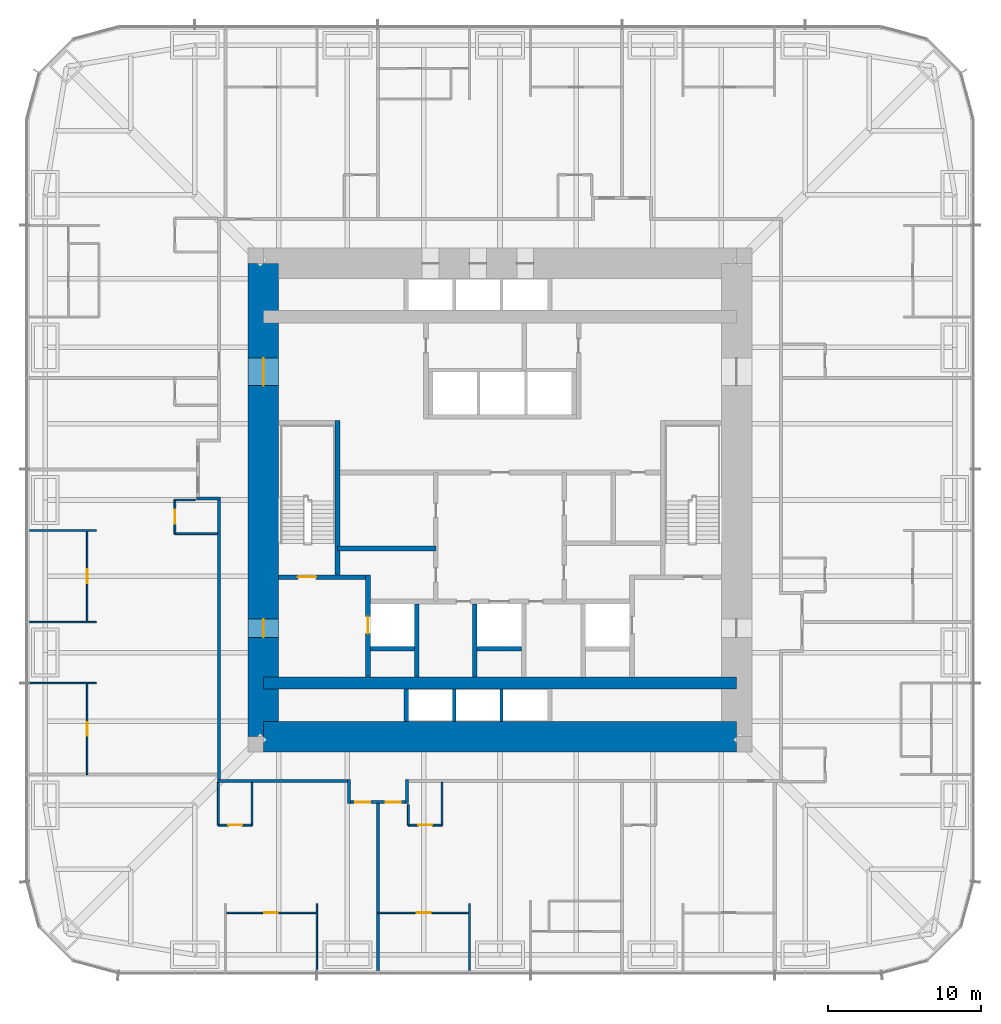
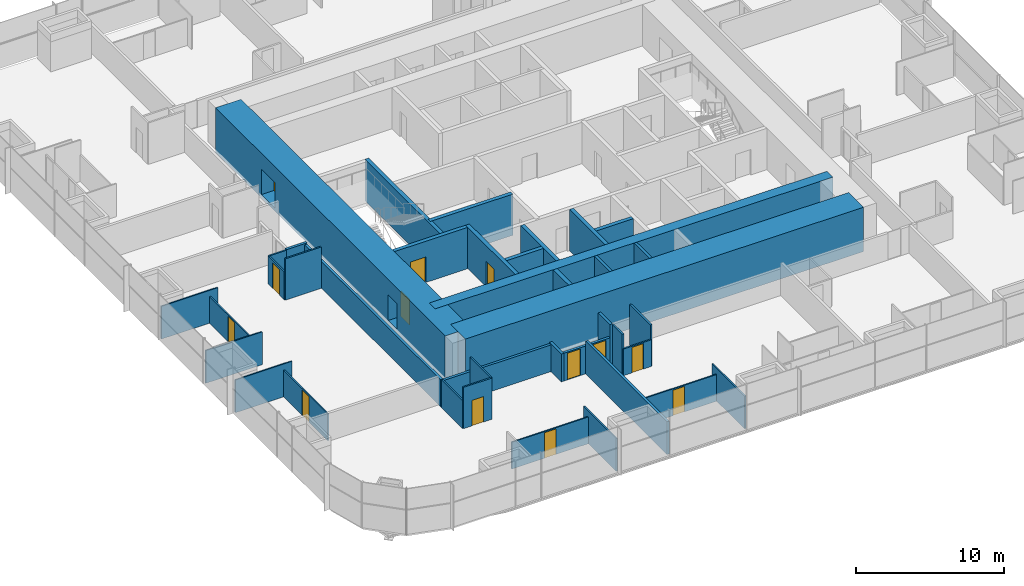
# One storey, part 12 of 17: 39 walls, 13 doors, 13 openings.
"""IFC4 building model written with IfcOpenShell, lengths in metres."""

from ifc_helpers import new_model, si_unit, direction, frame, frame_2d, origin, place, context, subcontext, project, spatial, rectangle, extrude, material, layer, layer_set, type_object, element, fill, save


model = new_model("IFC4")

# Units and contexts
model_context = context("Model", 3, precision=1e-05, world=origin(), true_north=direction((0.0, 1.0)))
body_context = subcontext(model_context, "Body", "Model", "MODEL_VIEW")
ifc_project = project(units=[si_unit("LENGTHUNIT", "METRE"), si_unit("AREAUNIT", "SQUARE_METRE"), si_unit("VOLUMEUNIT", "CUBIC_METRE"), si_unit("PLANEANGLEUNIT", "RADIAN"), si_unit("MASSUNIT", "GRAM", prefix="KILO")], contexts=[model_context])

# Site, building, storey
site_placement = place(None, origin())
site = spatial("IfcSite", under=ifc_project, at=site_placement, CompositionType="ELEMENT")
building_placement = place(site_placement, origin())
building = spatial("IfcBuilding", under=site, at=building_placement, Name="Khuree Lantern Residences", CompositionType="ELEMENT")
storey_placement = place(building_placement, frame((0.0, 0.0, 96.0)))
storey = spatial("IfcBuildingStorey", under=building, at=storey_placement, Name="L24", CompositionType="ELEMENT", Elevation=96.0)

# Wall, opening, door
ifc_material_1 = material(Name="Moisture-resistant gypsum board on steel studs", Category="steel")
ifc_layer_1 = layer(ifc_material_1, 0.125)
ifc_layer_set_1 = layer_set([ifc_layer_1], Name="BATHROOM WALL BTW125")
wall_type_1 = type_object("IfcWallType", Name="BATHROOM WALL BTW125", PredefinedType="PARTITIONING", material=ifc_layer_set_1)
wall_1_placement = place(storey_placement, frame((-21.300048828125, 0.0, 0.0), z_axis=(0.0, 0.0, 1.0), x_axis=(0.0, -1.0, 0.0)))
wall_1 = element("IfcWall", 1, at=wall_1_placement, inside=storey, type_object=wall_type_1, Name="L24 BATHROOM WALL 07", PredefinedType="PARTITIONING", context=body_context, shape_type="SweptSolid", body=[
    extrude(rectangle(XDim=2.199951171875, YDim=0.125, at=frame_2d((1.10009765625, 0.0))), origin(), (0.0, 0.0, 1.0), 2.300048828125),
])
opening_1_placement = place(wall_1_placement, frame((0.64990234375, 0.0, 0.0)))
opening_1 = element("IfcOpeningElement", 2, at=opening_1_placement, cuts=wall_1, Name="Opening 24-046", PredefinedType="OPENING", context=body_context, shape_type="SweptSolid", body=[
    extrude(rectangle(XDim=0.89990234375, YDim=2.10009765625, at=frame_2d((0.449951171875, 1.050048828125))), frame((0.0, 0.072509765625, 0.0), z_axis=(0.0, -1.0, 0.0), x_axis=(1.0, 0.0, 0.0)), (0.0, 0.0, 1.0), 0.14501953125),
])
ifc_material_2 = material(Name="Timber door leaf in hardwood frame", Category="wood")
door_type_1 = type_object("IfcDoorType", Name="BATHROOM DOOR 900X2100", OperationType="SINGLE_SWING_LEFT", PredefinedType="DOOR", material=ifc_material_2)
door_1_placement = place(opening_1_placement, origin())
door_1 = element("IfcDoor", 3, at=door_1_placement, inside=storey, type_object=door_type_1, Name="Bathroom door 24-046", OperationType="SINGLE_SWING_LEFT", OverallHeight=2.10009765625, OverallWidth=0.89990234375, PredefinedType="DOOR", context=body_context, shape_type="SweptSolid", body=[
    extrude(rectangle(XDim=0.89990234375, YDim=2.10009765625, at=frame_2d((0.449951171875, 1.050048828125))), frame((0.0, 0.02490234375, 0.0), z_axis=(0.0, -1.0, 0.0), x_axis=(1.0, 0.0, 0.0)), (0.0, 0.0, 1.0), 0.050048828125),
])
fill(opening_1, door_1)

# Walls
wall_2_placement = place(storey_placement, frame((-19.969970703125, 0.0, 0.0), z_axis=(0.0, 0.0, 1.0), x_axis=(-1.0, 0.0, 0.0)))
element("IfcWall", 4, at=wall_2_placement, inside=storey, type_object=wall_type_1, Name="L24 BATHROOM WALL 07", PredefinedType="PARTITIONING", context=body_context, shape_type="SweptSolid", body=[
    extrude(rectangle(XDim=1.330078125, YDim=0.125, at=frame_2d((0.6650390625, 0.0))), origin(), (0.0, 0.0, 1.0), 2.300048828125),
])
wall_3_placement = place(storey_placement, frame((-18.5, -2.199951171875, 0.0), z_axis=(0.0, 0.0, 1.0), x_axis=(-1.0, 0.0, 0.0)))
element("IfcWall", 5, at=wall_3_placement, inside=storey, type_object=wall_type_1, Name="L24 BATHROOM WALL 07", PredefinedType="PARTITIONING", context=body_context, shape_type="SweptSolid", body=[
    extrude(rectangle(XDim=2.800048828125, YDim=0.125, at=frame_2d((1.39990234375, 0.0))), origin(), (0.0, 0.0, 1.0), 3.39990234375),
])

# Wall, opening, door
wall_4_placement = place(storey_placement, frame((-18.449951171875, -21.300048828125, 0.0), z_axis=(0.0, 0.0, 1.0), x_axis=(1.0, 0.0, 0.0)))
wall_4 = element("IfcWall", 6, at=wall_4_placement, inside=storey, type_object=wall_type_1, Name="L24 BATHROOM WALL 08", PredefinedType="PARTITIONING", context=body_context, shape_type="SweptSolid", body=[
    extrude(rectangle(XDim=2.199951171875, YDim=0.125, at=frame_2d((1.10009765625, 0.0))), origin(), (0.0, 0.0, 1.0), 3.39990234375),
])
opening_2_placement = place(wall_4_placement, frame((0.64990234375, 0.0, 0.0)))
opening_2 = element("IfcOpeningElement", 7, at=opening_2_placement, cuts=wall_4, Name="Opening 24-049", PredefinedType="OPENING", context=body_context, shape_type="SweptSolid", body=[
    extrude(rectangle(XDim=0.89990234375, YDim=2.10009765625, at=frame_2d((0.449951171875, 1.050048828125))), frame((0.0, 0.072509765625, 0.0), z_axis=(0.0, -1.0, 0.0), x_axis=(1.0, 0.0, 0.0)), (0.0, 0.0, 1.0), 0.14501953125),
])
door_2_placement = place(opening_2_placement, origin())
door_2 = element("IfcDoor", 8, at=door_2_placement, inside=storey, type_object=door_type_1, Name="Bathroom door 24-049", OperationType="SINGLE_SWING_LEFT", OverallHeight=2.10009765625, OverallWidth=0.89990234375, PredefinedType="DOOR", context=body_context, shape_type="SweptSolid", body=[
    extrude(rectangle(XDim=0.89990234375, YDim=2.10009765625, at=frame_2d((0.449951171875, 1.050048828125))), frame((0.0, 0.02490234375, 0.0), z_axis=(0.0, -1.0, 0.0), x_axis=(1.0, 0.0, 0.0)), (0.0, 0.0, 1.0), 0.050048828125),
])
fill(opening_2, door_2)

# Walls
wall_5_placement = place(storey_placement, frame((-18.449951171875, -18.5, 0.0), z_axis=(0.0, 0.0, 1.0), x_axis=(0.0, -1.0, 0.0)))
element("IfcWall", 9, at=wall_5_placement, inside=storey, type_object=wall_type_1, Name="L24 BATHROOM WALL 08", PredefinedType="PARTITIONING", context=body_context, shape_type="SweptSolid", body=[
    extrude(rectangle(XDim=2.800048828125, YDim=0.125, at=frame_2d((1.39990234375, 0.0))), origin(), (0.0, 0.0, 1.0), 2.300048828125),
])
wall_6_placement = place(storey_placement, frame((-16.25, -18.5, 0.0), z_axis=(0.0, 0.0, 1.0), x_axis=(0.0, -1.0, 0.0)))
element("IfcWall", 10, at=wall_6_placement, inside=storey, type_object=wall_type_1, Name="L24 BATHROOM WALL 08", PredefinedType="PARTITIONING", context=body_context, shape_type="SweptSolid", body=[
    extrude(rectangle(XDim=2.800048828125, YDim=0.125, at=frame_2d((1.39990234375, 0.0))), origin(), (0.0, 0.0, 1.0), 3.39990234375),
])

# Wall, opening, door
wall_7_placement = place(storey_placement, frame((-6.0, -21.300048828125, 0.0), z_axis=(0.0, 0.0, 1.0), x_axis=(1.0, 0.0, 0.0)))
wall_7 = element("IfcWall", 11, at=wall_7_placement, inside=storey, type_object=wall_type_1, Name="L24 BATHROOM WALL 09", PredefinedType="PARTITIONING", context=body_context, shape_type="SweptSolid", body=[
    extrude(rectangle(XDim=2.199951171875, YDim=0.125, at=frame_2d((1.10009765625, 0.0))), origin(), (0.0, 0.0, 1.0), 2.199951171875),
])
opening_3_placement = place(wall_7_placement, frame((0.64990234375, 0.0, 0.0)))
opening_3 = element("IfcOpeningElement", 12, at=opening_3_placement, cuts=wall_7, Name="Opening 24-054", PredefinedType="OPENING", context=body_context, shape_type="SweptSolid", body=[
    extrude(rectangle(XDim=0.89990234375, YDim=2.10009765625, at=frame_2d((0.449951171875, 1.050048828125))), frame((0.0, 0.072509765625, 0.0), z_axis=(0.0, -1.0, 0.0), x_axis=(1.0, 0.0, 0.0)), (0.0, 0.0, 1.0), 0.14501953125),
])
door_3_placement = place(opening_3_placement, origin())
door_3 = element("IfcDoor", 13, at=door_3_placement, inside=storey, type_object=door_type_1, Name="Bathroom door 24-054", OperationType="SINGLE_SWING_LEFT", OverallHeight=2.10009765625, OverallWidth=0.89990234375, PredefinedType="DOOR", context=body_context, shape_type="SweptSolid", body=[
    extrude(rectangle(XDim=0.89990234375, YDim=2.10009765625, at=frame_2d((0.449951171875, 1.050048828125))), frame((0.0, 0.02490234375, 0.0), z_axis=(0.0, -1.0, 0.0), x_axis=(1.0, 0.0, 0.0)), (0.0, 0.0, 1.0), 0.050048828125),
])
fill(opening_3, door_3)

# Walls
wall_8_placement = place(storey_placement, frame((-6.0, -19.969970703125, 0.0), z_axis=(0.0, 0.0, 1.0), x_axis=(0.0, -1.0, 0.0)))
element("IfcWall", 14, at=wall_8_placement, inside=storey, type_object=wall_type_1, Name="L24 BATHROOM WALL 09", PredefinedType="PARTITIONING", context=body_context, shape_type="SweptSolid", body=[
    extrude(rectangle(XDim=1.330078125, YDim=0.125, at=frame_2d((0.6650390625, 0.0))), origin(), (0.0, 0.0, 1.0), 3.39990234375),
])
wall_9_placement = place(storey_placement, frame((-3.800048828125, -18.5, 0.0), z_axis=(0.0, 0.0, 1.0), x_axis=(0.0, -1.0, 0.0)))
element("IfcWall", 15, at=wall_9_placement, inside=storey, type_object=wall_type_1, Name="L24 BATHROOM WALL 09", PredefinedType="PARTITIONING", context=body_context, shape_type="SweptSolid", body=[
    extrude(rectangle(XDim=2.800048828125, YDim=0.125, at=frame_2d((1.39990234375, 0.0))), origin(), (0.0, 0.0, 1.0), 3.39990234375),
])

# Wall, opening, door
ifc_material_3 = material(Name="Dense concrete blockwork", Category="masonry")
ifc_layer_2 = layer(ifc_material_3, 0.300048828125)
ifc_layer_set_2 = layer_set([ifc_layer_2], Name="CORE PARTITION WALL CPW300 EI 120")
wall_type_2 = type_object("IfcWallType", Name="CORE PARTITION WALL CPW300 EI 120", PredefinedType="PARTITIONING", material=ifc_layer_set_2)
wall_10_placement = place(storey_placement, frame((-8.64990234375, -11.60009765625, 0.0), z_axis=(0.0, 0.0, 1.0), x_axis=(0.0, 1.0, 0.0)))
wall_10 = element("IfcWall", 16, at=wall_10_placement, inside=storey, type_object=wall_type_2, Name="L24 CORE WALL FL1W", PredefinedType="PARTITIONING", context=body_context, shape_type="SweptSolid", body=[
    extrude(rectangle(XDim=6.7001953125, YDim=0.300048828125, at=frame_2d((3.35009765625, 0.0))), origin(), (0.0, 0.0, 1.0), 3.39990234375),
])
opening_4_placement = place(wall_10_placement, frame((2.85009765625, 0.0, 0.0)))
opening_4 = element("IfcOpeningElement", 17, at=opening_4_placement, cuts=wall_10, Name="Opening 24-007", PredefinedType="OPENING", context=body_context, shape_type="SweptSolid", body=[
    extrude(rectangle(XDim=1.10009765625, YDim=2.10009765625, at=frame_2d((0.550048828125, 1.050048828125))), frame((0.0, 0.16015625, 0.0), z_axis=(0.0, -1.0, 0.0), x_axis=(1.0, 0.0, 0.0)), (0.0, 0.0, 1.0), 0.320068359375),
])
ifc_material_4 = material(Name="Stainless steel lift landing door", Category="steel")
door_type_2 = type_object("IfcDoorType", Name="LIFT LANDING DOOR 1100X2100 E 120", OperationType="DOUBLE_DOOR_SLIDING", PredefinedType="DOOR", material=ifc_material_4)
door_4_placement = place(opening_4_placement, origin())
door_4 = element("IfcDoor", 18, at=door_4_placement, inside=storey, type_object=door_type_2, Name="Landing door FL1 24-007", OperationType="DOUBLE_DOOR_SLIDING", OverallHeight=2.10009765625, OverallWidth=1.10009765625, PredefinedType="DOOR", context=body_context, shape_type="SweptSolid", body=[
    extrude(rectangle(XDim=1.10009765625, YDim=2.10009765625, at=frame_2d((0.550048828125, 1.050048828125))), frame((0.0, 0.02490234375, 0.0), z_axis=(0.0, -1.0, 0.0), x_axis=(1.0, 0.0, 0.0)), (0.0, 0.0, 1.0), 0.050048828125),
])
fill(opening_4, door_4)

# Walls
for number, where, z_axis, x_axis, name in (
    (19, (-5.449951171875, -11.60009765625, 0.0), (0.0, 0.0, 1.0), (0.0, 1.0, 0.0), "L24 CORE WALL FL1E"),
    (20, (-1.64990234375, -11.60009765625, 0.0), (0.0, 0.0, 1.0), (0.0, 1.0, 0.0), "L24 CORE WALL SL1W"),
):
    element("IfcWall", number, at=place(storey_placement, frame(where, z_axis=z_axis, x_axis=x_axis)), inside=storey, type_object=wall_type_2, Name=name, PredefinedType="PARTITIONING", context=body_context, shape_type="SweptSolid", body=[
        extrude(rectangle(XDim=4.800048828125, YDim=0.300048828125, at=frame_2d((2.39990234375, 0.0))), origin(), (0.0, 0.0, 1.0), 3.39990234375),
    ])
for number, where, z_axis, x_axis, name in (
    (21, (-8.5, -9.75, 0.0), (0.0, 0.0, 1.0), (1.0, 0.0, 0.0), "L24 CORE WALL FL1S"),
    (22, (-1.5, -9.75, 0.0), (0.0, 0.0, 1.0), (1.0, 0.0, 0.0), "L24 CORE WALL SL1S"),
):
    element("IfcWall", number, at=place(storey_placement, frame(where, z_axis=z_axis, x_axis=x_axis)), inside=storey, type_object=wall_type_2, Name=name, PredefinedType="PARTITIONING", context=body_context, shape_type="SweptSolid", body=[
        extrude(rectangle(XDim=2.89990234375, YDim=0.300048828125, at=frame_2d((1.449951171875, 0.0))), origin(), (0.0, 0.0, 1.0), 3.39990234375),
    ])
wall_11_placement = place(storey_placement, frame((-6.14990234375, -14.5, 0.0), z_axis=(0.0, 0.0, 1.0), x_axis=(0.0, 1.0, 0.0)))
element("IfcWall", 23, at=wall_11_placement, inside=storey, type_object=wall_type_2, Name="L24 CORE WALL PMW", PredefinedType="PARTITIONING", context=body_context, shape_type="SweptSolid", body=[
    extrude(rectangle(XDim=2.10009765625, YDim=0.300048828125, at=frame_2d((1.050048828125, 0.0))), origin(), (0.0, 0.0, 1.0), 3.39990234375),
])
wall_12_placement = place(storey_placement, frame((-10.64990234375, -3.179931640625, 0.0), z_axis=(0.0, 0.0, 1.0), x_axis=(1.0, 0.0, 0.0)))
element("IfcWall", 24, at=wall_12_placement, inside=storey, type_object=wall_type_2, Name="L24 CORE WALL WX", PredefinedType="PARTITIONING", context=body_context, shape_type="SweptSolid", body=[
    extrude(rectangle(XDim=6.449951171875, YDim=0.300048828125, at=frame_2d((3.22509765625, 0.0))), origin(), (0.0, 0.0, 1.0), 3.39990234375),
])
ifc_material_5 = material(Name="Gypsum board on steel studs", Category="steel")
ifc_layer_3 = layer(ifc_material_5, 0.199951171875)
ifc_layer_set_3 = layer_set([ifc_layer_3], Name="CORRIDOR WALL CRW200 EI 60")
wall_type_3 = type_object("IfcWallType", Name="CORRIDOR WALL CRW200 EI 60", PredefinedType="PARTITIONING", material=ifc_layer_set_3)
wall_13_placement = place(storey_placement, frame((-18.300048828125, 0.10009765625, 0.0), z_axis=(0.0, 0.0, 1.0), x_axis=(-1.0, 0.0, 0.0)))
element("IfcWall", 25, at=wall_13_placement, inside=storey, type_object=wall_type_3, Name="L24 CORRIDOR ALCOVE WALL WEST", PredefinedType="PARTITIONING", context=body_context, shape_type="SweptSolid", body=[
    extrude(rectangle(XDim=1.599853515625, YDim=0.199951171875, at=frame_2d((0.7998046875, 0.0))), origin(), (0.0, 0.0, 1.0), 2.300048828125),
])
wall_14_placement = place(storey_placement, frame((-18.39990234375, 0.0, 0.0), z_axis=(0.0, 0.0, 1.0), x_axis=(0.0, -1.0, 0.0)))
element("IfcWall", 26, at=wall_14_placement, inside=storey, type_object=wall_type_3, Name="L24 CORRIDOR WALL WEST 2", PredefinedType="PARTITIONING", context=body_context, shape_type="SweptSolid", body=[
    extrude(rectangle(XDim=18.300048828125, YDim=0.199951171875, at=frame_2d((9.14990234375, 0.0))), origin(), (0.0, 0.0, 1.0), 2.199951171875),
])
wall_15_placement = place(storey_placement, frame((-6.10009765625, -18.300048828125, 0.0), z_axis=(0.0, 0.0, 1.0), x_axis=(0.0, -1.0, 0.0)))
element("IfcWall", 27, at=wall_15_placement, inside=storey, type_object=wall_type_3, Name="L24 CORRIDOR ALCOVE WALL SOUTH", PredefinedType="PARTITIONING", context=body_context, shape_type="SweptSolid", body=[
    extrude(rectangle(XDim=1.599853515625, YDim=0.199951171875, at=frame_2d((0.7998046875, 0.0))), origin(), (0.0, 0.0, 1.0), 3.39990234375),
])
wall_16_placement = place(storey_placement, frame((-9.89990234375, -18.300048828125, 0.0), z_axis=(0.0, 0.0, 1.0), x_axis=(0.0, -1.0, 0.0)))
element("IfcWall", 28, at=wall_16_placement, inside=storey, type_object=wall_type_3, Name="L24 CORRIDOR ALCOVE WALL SOUTH", PredefinedType="PARTITIONING", context=body_context, shape_type="SweptSolid", body=[
    extrude(rectangle(XDim=1.599853515625, YDim=0.199951171875, at=frame_2d((0.7998046875, 0.0))), origin(), (0.0, 0.0, 1.0), 2.300048828125),
])

# Wall, openings, doors
wall_17_placement = place(storey_placement, frame((-6.199951171875, -19.800048828125, 0.0), z_axis=(0.0, 0.0, 1.0), x_axis=(-1.0, 0.0, 0.0)))
wall_17 = element("IfcWall", 29, at=wall_17_placement, inside=storey, type_object=wall_type_3, Name="L24 CORRIDOR ALCOVE WALL SOUTH", PredefinedType="PARTITIONING", context=body_context, shape_type="SweptSolid", body=[
    extrude(rectangle(XDim=3.60009765625, YDim=0.199951171875, at=frame_2d((1.800048828125, 0.0))), origin(), (0.0, 0.0, 1.0), 2.300048828125),
])
opening_5_placement = place(wall_17_placement, frame((2.300048828125, 0.0, 0.0)))
opening_5 = element("IfcOpeningElement", 30, at=opening_5_placement, cuts=wall_17, Name="Opening 24-050", PredefinedType="OPENING", context=body_context, shape_type="SweptSolid", body=[
    extrude(rectangle(XDim=1.0, YDim=2.199951171875, at=frame_2d((0.5, 1.10009765625))), frame((0.0, 0.10986328125, 0.0), z_axis=(0.0, -1.0, 0.0), x_axis=(1.0, 0.0, 0.0)), (0.0, 0.0, 1.0), 0.219970703125),
])
opening_6_placement = place(wall_17_placement, frame((0.300048828125, 0.0, 0.0)))
opening_6 = element("IfcOpeningElement", 31, at=opening_6_placement, cuts=wall_17, Name="Opening 24-055", PredefinedType="OPENING", context=body_context, shape_type="SweptSolid", body=[
    extrude(rectangle(XDim=1.0, YDim=2.199951171875, at=frame_2d((0.5, 1.10009765625))), frame((0.0, 0.10986328125, 0.0), z_axis=(0.0, -1.0, 0.0), x_axis=(1.0, 0.0, 0.0)), (0.0, 0.0, 1.0), 0.219970703125),
])
door_type_3 = type_object("IfcDoorType", Name="APARTMENT ENTRANCE DOOR 1000X2200 EI 30S", OperationType="SINGLE_SWING_LEFT", PredefinedType="DOOR", material=ifc_material_2)
door_5_placement = place(opening_5_placement, origin())
door_5 = element("IfcDoor", 32, at=door_5_placement, inside=storey, type_object=door_type_3, Name="Apartment 08 entrance door 24-050", OperationType="SINGLE_SWING_LEFT", OverallHeight=2.199951171875, OverallWidth=1.0, PredefinedType="DOOR", context=body_context, shape_type="SweptSolid", body=[
    extrude(rectangle(XDim=1.0, YDim=2.199951171875, at=frame_2d((0.5, 1.10009765625))), frame((0.0, 0.02490234375, 0.0), z_axis=(0.0, -1.0, 0.0), x_axis=(1.0, 0.0, 0.0)), (0.0, 0.0, 1.0), 0.050048828125),
])
fill(opening_5, door_5)
door_6_placement = place(opening_6_placement, origin())
door_6 = element("IfcDoor", 33, at=door_6_placement, inside=storey, type_object=door_type_3, Name="Apartment 09 entrance door 24-055", OperationType="SINGLE_SWING_LEFT", OverallHeight=2.199951171875, OverallWidth=1.0, PredefinedType="DOOR", context=body_context, shape_type="SweptSolid", body=[
    extrude(rectangle(XDim=1.0, YDim=2.199951171875, at=frame_2d((0.5, 1.10009765625))), frame((0.0, 0.02490234375, 0.0), z_axis=(0.0, -1.0, 0.0), x_axis=(1.0, 0.0, 0.0)), (0.0, 0.0, 1.0), 0.050048828125),
])
fill(opening_6, door_6)

# Walls
wall_18_placement = place(storey_placement, frame((-10.0, -18.39990234375, 0.0), z_axis=(0.0, 0.0, 1.0), x_axis=(-1.0, 0.0, 0.0)))
element("IfcWall", 34, at=wall_18_placement, inside=storey, type_object=wall_type_3, Name="L24 CORRIDOR WALL SOUTH 2", PredefinedType="PARTITIONING", context=body_context, shape_type="SweptSolid", body=[
    extrude(rectangle(XDim=8.5, YDim=0.199951171875, at=frame_2d((4.25, 0.0))), origin(), (0.0, 0.0, 1.0), 2.199951171875),
])
ifc_material_6 = material(Name="Concrete C70/85", Category="concrete")
ifc_layer_4 = layer(ifc_material_6, 2.0)
ifc_layer_set_4 = layer_set([ifc_layer_4], Name="CW2000-C70 CORE WALL C70 2000")
wall_type_4 = type_object("IfcWallType", Name="CW2000-C70 CORE WALL C70 2000", PredefinedType="SHEAR", material=ifc_layer_set_4)
wall_19_placement = place(storey_placement, frame((-15.5, -15.5, -0.25), z_axis=(0.0, 0.0, 1.0), x_axis=(1.0, 0.0, 0.0)))
element("IfcWall", 35, at=wall_19_placement, inside=storey, type_object=wall_type_4, Name="Core wall S", PredefinedType="SHEAR", context=body_context, shape_type="SweptSolid", body=[
    extrude(rectangle(XDim=31.0, YDim=2.0, at=frame_2d((15.5, 0.0))), origin(), (0.0, 0.0, 1.0), 3.64990234375),
])

# Wall, openings, doors
wall_20_placement = place(storey_placement, frame((-15.5, -15.5, -0.25), z_axis=(0.0, 0.0, 1.0), x_axis=(0.0, 1.0, 0.0)))
wall_20 = element("IfcWall", 36, at=wall_20_placement, inside=storey, type_object=wall_type_4, Name="Core wall W", PredefinedType="SHEAR", context=body_context, shape_type="SweptSolid", body=[
    extrude(rectangle(XDim=31.0, YDim=2.0, at=frame_2d((15.5, 0.0))), origin(), (0.0, 0.0, 1.0), 3.64990234375),
])
opening_7_placement = place(wall_20_placement, frame((6.5, 0.0, 0.25)))
opening_7 = element("IfcOpeningElement", 37, at=opening_7_placement, cuts=wall_20, Name="Opening 24-002", PredefinedType="OPENING", context=body_context, shape_type="SweptSolid", body=[
    extrude(rectangle(XDim=1.199951171875, YDim=2.10009765625, at=frame_2d((0.60009765625, 1.050048828125))), frame((0.0, 1.010009765625, 0.0), z_axis=(0.0, -1.0, 0.0), x_axis=(1.0, 0.0, 0.0)), (0.0, 0.0, 1.0), 2.02001953125),
])
opening_8_placement = place(wall_20_placement, frame((23.0, 0.0, 0.25)))
opening_8 = element("IfcOpeningElement", 38, at=opening_8_placement, cuts=wall_20, Name="Opening 24-003", PredefinedType="OPENING", context=body_context, shape_type="SweptSolid", body=[
    extrude(rectangle(XDim=1.800048828125, YDim=2.10009765625, at=frame_2d((0.89990234375, 1.050048828125))), frame((0.0, 1.010009765625, 0.0), z_axis=(0.0, -1.0, 0.0), x_axis=(1.0, 0.0, 0.0)), (0.0, 0.0, 1.0), 2.02001953125),
])
ifc_material_7 = material(Name="Steel door leaf in steel frame", Category="steel")
door_type_4 = type_object("IfcDoorType", Name="LOBBY DOOR 1200X2100 EI 120", OperationType="SINGLE_SWING_LEFT", PredefinedType="DOOR", material=ifc_material_7)
door_7_placement = place(opening_7_placement, origin())
door_7 = element("IfcDoor", 39, at=door_7_placement, inside=storey, type_object=door_type_4, Name="Firefighting lobby door 24-002", OperationType="SINGLE_SWING_LEFT", OverallHeight=2.10009765625, OverallWidth=1.199951171875, PredefinedType="DOOR", context=body_context, shape_type="SweptSolid", body=[
    extrude(rectangle(XDim=1.199951171875, YDim=2.10009765625, at=frame_2d((0.60009765625, 1.050048828125))), frame((0.0, 0.02490234375, 0.0), z_axis=(0.0, -1.0, 0.0), x_axis=(1.0, 0.0, 0.0)), (0.0, 0.0, 1.0), 0.050048828125),
])
fill(opening_7, door_7)
door_type_5 = type_object("IfcDoorType", Name="LOBBY DOUBLE DOOR 1800X2100 EI 60", OperationType="DOUBLE_DOOR_SINGLE_SWING", PredefinedType="DOOR", material=ifc_material_7)
door_8_placement = place(opening_8_placement, origin())
door_8 = element("IfcDoor", 40, at=door_8_placement, inside=storey, type_object=door_type_5, Name="Lift lobby door 24-003", OperationType="DOUBLE_DOOR_SINGLE_SWING", OverallHeight=2.10009765625, OverallWidth=1.800048828125, PredefinedType="DOOR", context=body_context, shape_type="SweptSolid", body=[
    extrude(rectangle(XDim=1.800048828125, YDim=2.10009765625, at=frame_2d((0.89990234375, 1.050048828125))), frame((0.0, 0.02490234375, 0.0), z_axis=(0.0, -1.0, 0.0), x_axis=(1.0, 0.0, 0.0)), (0.0, 0.0, 1.0), 0.050048828125),
])
fill(opening_8, door_8)

# Walls
ifc_layer_5 = layer(ifc_material_5, 0.199951171875)
ifc_layer_set_5 = layer_set([ifc_layer_5], Name="DEMISING WALL DMW200 EI 90")
wall_type_5 = type_object("IfcWallType", Name="DEMISING WALL DMW200 EI 90", PredefinedType="PARTITIONING", material=ifc_layer_set_5)
wall_21_placement = place(storey_placement, frame((-8.0, -19.89990234375, 0.0), z_axis=(0.0, 0.0, 1.0), x_axis=(0.0, -1.0, 0.0)))
element("IfcWall", 41, at=wall_21_placement, inside=storey, type_object=wall_type_5, Name="L24 DEMISING WALL 09", PredefinedType="PARTITIONING", context=body_context, shape_type="SweptSolid", body=[
    extrude(rectangle(XDim=10.9501953125, YDim=0.199951171875, at=frame_2d((5.47509765625, 0.0))), origin(), (0.0, 0.0, 1.0), 2.699951171875),
])
ifc_layer_6 = layer(ifc_material_5, 0.10009765625)
ifc_layer_set_6 = layer_set([ifc_layer_6], Name="PARTITION PT100")
wall_type_6 = type_object("IfcWallType", Name="PARTITION PT100", PredefinedType="PARTITIONING", material=ifc_layer_set_6)
for number, where, z_axis, x_axis, name in (
    (42, (-26.449951171875, -2.0, 0.0), (0.0, 0.0, 1.0), (-1.0, 0.0, 0.0), "L24 PARTITION 07"),
    (43, (-26.449951171875, -8.0, 0.0), (0.0, 0.0, 1.0), (-1.0, 0.0, 0.0), "L24 PARTITION 07"),
    (44, (-26.449951171875, -12.0, 0.0), (0.0, 0.0, 1.0), (-1.0, 0.0, 0.0), "L24 PARTITION 07"),
    (45, (-12.0, -26.449951171875, 0.0), (0.0, 0.0, 1.0), (0.0, -1.0, 0.0), "L24 PARTITION 08"),
    (46, (-2.0, -26.449951171875, 0.0), (0.0, 0.0, 1.0), (0.0, -1.0, 0.0), "L24 PARTITION 09"),
):
    element("IfcWall", number, at=place(storey_placement, frame(where, z_axis=z_axis, x_axis=x_axis)), inside=storey, type_object=wall_type_6, Name=name, PredefinedType="PARTITIONING", context=body_context, shape_type="SweptSolid", body=[
        extrude(rectangle(XDim=4.400146484375, YDim=0.10009765625, at=frame_2d((2.2001953125, 0.0))), origin(), (0.0, 0.0, 1.0), 2.699951171875),
    ])

# Wall, opening, door
wall_22_placement = place(storey_placement, frame((-27.050048828125, -2.0, 0.0), z_axis=(0.0, 0.0, 1.0), x_axis=(0.0, -1.0, 0.0)))
wall_22 = element("IfcWall", 47, at=wall_22_placement, inside=storey, type_object=wall_type_6, Name="L24 PARTITION 07", PredefinedType="PARTITIONING", context=body_context, shape_type="SweptSolid", body=[
    extrude(rectangle(XDim=6.0, YDim=0.10009765625, at=frame_2d((3.0, 0.0))), origin(), (0.0, 0.0, 1.0), 2.199951171875),
])
opening_9_placement = place(wall_22_placement, frame((2.550048828125, 0.0, 0.0)))
opening_9 = element("IfcOpeningElement", 48, at=opening_9_placement, cuts=wall_22, Name="Opening 24-044", PredefinedType="OPENING", context=body_context, shape_type="SweptSolid", body=[
    extrude(rectangle(XDim=0.89990234375, YDim=2.10009765625, at=frame_2d((0.449951171875, 1.050048828125))), frame((0.0, 0.06005859375, 0.0), z_axis=(0.0, -1.0, 0.0), x_axis=(1.0, 0.0, 0.0)), (0.0, 0.0, 1.0), 0.1201171875),
])
door_type_6 = type_object("IfcDoorType", Name="BEDROOM DOOR 900X2100", OperationType="SINGLE_SWING_LEFT", PredefinedType="DOOR", material=ifc_material_2)
door_9_placement = place(opening_9_placement, origin())
door_9 = element("IfcDoor", 49, at=door_9_placement, inside=storey, type_object=door_type_6, Name="Bedroom door 24-044", OperationType="SINGLE_SWING_LEFT", OverallHeight=2.10009765625, OverallWidth=0.89990234375, PredefinedType="DOOR", context=body_context, shape_type="SweptSolid", body=[
    extrude(rectangle(XDim=0.89990234375, YDim=2.10009765625, at=frame_2d((0.449951171875, 1.050048828125))), frame((0.0, 0.02490234375, 0.0), z_axis=(0.0, -1.0, 0.0), x_axis=(1.0, 0.0, 0.0)), (0.0, 0.0, 1.0), 0.050048828125),
])
fill(opening_9, door_9)

wall_23_placement = place(storey_placement, frame((-27.050048828125, -12.0, 0.0), z_axis=(0.0, 0.0, 1.0), x_axis=(0.0, -1.0, 0.0)))
wall_23 = element("IfcWall", 50, at=wall_23_placement, inside=storey, type_object=wall_type_6, Name="L24 PARTITION 07", PredefinedType="PARTITIONING", context=body_context, shape_type="SweptSolid", body=[
    extrude(rectangle(XDim=6.0, YDim=0.10009765625, at=frame_2d((3.0, 0.0))), origin(), (0.0, 0.0, 1.0), 2.199951171875),
])
opening_10_placement = place(wall_23_placement, frame((2.550048828125, 0.0, 0.0)))
opening_10 = element("IfcOpeningElement", 51, at=opening_10_placement, cuts=wall_23, Name="Opening 24-045", PredefinedType="OPENING", context=body_context, shape_type="SweptSolid", body=[
    extrude(rectangle(XDim=0.89990234375, YDim=2.10009765625, at=frame_2d((0.449951171875, 1.050048828125))), frame((0.0, 0.06005859375, 0.0), z_axis=(0.0, -1.0, 0.0), x_axis=(1.0, 0.0, 0.0)), (0.0, 0.0, 1.0), 0.1201171875),
])
door_type_7 = type_object("IfcDoorType", Name="BEDROOM DOOR 900X2100 RIGHT HAND", OperationType="SINGLE_SWING_RIGHT", PredefinedType="DOOR", material=ifc_material_2)
door_10_placement = place(opening_10_placement, origin())
door_10 = element("IfcDoor", 52, at=door_10_placement, inside=storey, type_object=door_type_7, Name="Bedroom door 24-045", OperationType="SINGLE_SWING_RIGHT", OverallHeight=2.10009765625, OverallWidth=0.89990234375, PredefinedType="DOOR", context=body_context, shape_type="SweptSolid", body=[
    extrude(rectangle(XDim=0.89990234375, YDim=2.10009765625, at=frame_2d((0.449951171875, 1.050048828125))), frame((0.0, 0.02490234375, 0.0), z_axis=(0.0, -1.0, 0.0), x_axis=(1.0, 0.0, 0.0)), (0.0, 0.0, 1.0), 0.050048828125),
])
fill(opening_10, door_10)

wall_24_placement = place(storey_placement, frame((-18.0, -27.050048828125, 0.0), z_axis=(0.0, 0.0, 1.0), x_axis=(1.0, 0.0, 0.0)))
wall_24 = element("IfcWall", 53, at=wall_24_placement, inside=storey, type_object=wall_type_6, Name="L24 PARTITION 08", PredefinedType="PARTITIONING", context=body_context, shape_type="SweptSolid", body=[
    extrude(rectangle(XDim=6.0, YDim=0.10009765625, at=frame_2d((3.0, 0.0))), origin(), (0.0, 0.0, 1.0), 2.199951171875),
])
opening_11_placement = place(wall_24_placement, frame((2.550048828125, 0.0, 0.0)))
opening_11 = element("IfcOpeningElement", 54, at=opening_11_placement, cuts=wall_24, Name="Opening 24-048", PredefinedType="OPENING", context=body_context, shape_type="SweptSolid", body=[
    extrude(rectangle(XDim=0.89990234375, YDim=2.10009765625, at=frame_2d((0.449951171875, 1.050048828125))), frame((0.0, 0.06005859375, 0.0), z_axis=(0.0, -1.0, 0.0), x_axis=(1.0, 0.0, 0.0)), (0.0, 0.0, 1.0), 0.1201171875),
])
door_11_placement = place(opening_11_placement, origin())
door_11 = element("IfcDoor", 55, at=door_11_placement, inside=storey, type_object=door_type_6, Name="Bedroom door 24-048", OperationType="SINGLE_SWING_LEFT", OverallHeight=2.10009765625, OverallWidth=0.89990234375, PredefinedType="DOOR", context=body_context, shape_type="SweptSolid", body=[
    extrude(rectangle(XDim=0.89990234375, YDim=2.10009765625, at=frame_2d((0.449951171875, 1.050048828125))), frame((0.0, 0.02490234375, 0.0), z_axis=(0.0, -1.0, 0.0), x_axis=(1.0, 0.0, 0.0)), (0.0, 0.0, 1.0), 0.050048828125),
])
fill(opening_11, door_11)

wall_25_placement = place(storey_placement, frame((-8.0, -27.050048828125, 0.0), z_axis=(0.0, 0.0, 1.0), x_axis=(1.0, 0.0, 0.0)))
wall_25 = element("IfcWall", 56, at=wall_25_placement, inside=storey, type_object=wall_type_6, Name="L24 PARTITION 09", PredefinedType="PARTITIONING", context=body_context, shape_type="SweptSolid", body=[
    extrude(rectangle(XDim=6.0, YDim=0.10009765625, at=frame_2d((3.0, 0.0))), origin(), (0.0, 0.0, 1.0), 2.199951171875),
])
opening_12_placement = place(wall_25_placement, frame((2.550048828125, 0.0, 0.0)))
opening_12 = element("IfcOpeningElement", 57, at=opening_12_placement, cuts=wall_25, Name="Opening 24-051", PredefinedType="OPENING", context=body_context, shape_type="SweptSolid", body=[
    extrude(rectangle(XDim=0.89990234375, YDim=2.10009765625, at=frame_2d((0.449951171875, 1.050048828125))), frame((0.0, 0.06005859375, 0.0), z_axis=(0.0, -1.0, 0.0), x_axis=(1.0, 0.0, 0.0)), (0.0, 0.0, 1.0), 0.1201171875),
])
door_12_placement = place(opening_12_placement, origin())
door_12 = element("IfcDoor", 58, at=door_12_placement, inside=storey, type_object=door_type_6, Name="Bedroom door 24-051", OperationType="SINGLE_SWING_LEFT", OverallHeight=2.10009765625, OverallWidth=0.89990234375, PredefinedType="DOOR", context=body_context, shape_type="SweptSolid", body=[
    extrude(rectangle(XDim=0.89990234375, YDim=2.10009765625, at=frame_2d((0.449951171875, 1.050048828125))), frame((0.0, 0.02490234375, 0.0), z_axis=(0.0, -1.0, 0.0), x_axis=(1.0, 0.0, 0.0)), (0.0, 0.0, 1.0), 0.050048828125),
])
fill(opening_12, door_12)

# Walls
ifc_layer_7 = layer(ifc_material_3, 0.199951171875)
ifc_layer_set_7 = layer_set([ifc_layer_7], Name="SHAFT WALL SHW200 EI 120")
wall_type_7 = type_object("IfcWallType", Name="SHAFT WALL SHW200 EI 120", PredefinedType="PARTITIONING", material=ifc_layer_set_7)
for number, where, z_axis, x_axis, name in (
    (59, (-3.0, -14.5, 0.0), (0.0, 0.0, 1.0), (0.0, 1.0, 0.0), "L24 CORE WALL PMD1"),
    (60, (0.10009765625, -14.5, 0.0), (0.0, 0.0, 1.0), (0.0, 1.0, 0.0), "L24 CORE WALL PMD2"),
):
    element("IfcWall", number, at=place(storey_placement, frame(where, z_axis=z_axis, x_axis=x_axis)), inside=storey, type_object=wall_type_7, Name=name, PredefinedType="PARTITIONING", context=body_context, shape_type="SweptSolid", body=[
        extrude(rectangle(XDim=2.10009765625, YDim=0.199951171875, at=frame_2d((1.050048828125, 0.0))), origin(), (0.0, 0.0, 1.0), 3.39990234375),
    ])
ifc_layer_8 = layer(ifc_material_6, 0.800048828125)
ifc_layer_set_8 = layer_set([ifc_layer_8], Name="SP800-C70 CORE SPINE WALL C70 800")
wall_type_8 = type_object("IfcWallType", Name="SP800-C70 CORE SPINE WALL C70 800", PredefinedType="SHEAR", material=ifc_layer_set_8)
wall_26_placement = place(storey_placement, frame((-15.5, -12.0, -0.25), z_axis=(0.0, 0.0, 1.0), x_axis=(1.0, 0.0, 0.0)))
element("IfcWall", 61, at=wall_26_placement, inside=storey, type_object=wall_type_8, Name="Core wall SPS", PredefinedType="SHEAR", context=body_context, shape_type="SweptSolid", body=[
    extrude(rectangle(XDim=31.0, YDim=0.800048828125, at=frame_2d((15.5, 0.0))), origin(), (0.0, 0.0, 1.0), 3.64990234375),
])
ifc_material_8 = material(Name="Concrete C50/60", Category="concrete")
ifc_layer_9 = layer(ifc_material_8, 0.300048828125)
ifc_layer_set_9 = layer_set([ifc_layer_9], Name="STAIR WALL SRW300 C50/60 REI 240")
wall_type_9 = type_object("IfcWallType", Name="STAIR WALL SRW300 C50/60 REI 240", PredefinedType="SOLIDWALL", material=ifc_layer_set_9)
wall_27_placement = place(storey_placement, frame((-10.64990234375, -4.89990234375, 0.0), z_axis=(0.0, 0.0, 1.0), x_axis=(0.0, 1.0, 0.0)))
element("IfcWall", 62, at=wall_27_placement, inside=storey, type_object=wall_type_9, Name="L24 STAIR WALL ST1E", PredefinedType="SOLIDWALL", context=body_context, shape_type="SweptSolid", body=[
    extrude(rectangle(XDim=10.099853515625, YDim=0.300048828125, at=frame_2d((5.0498046875, 0.0))), origin(), (0.0, 0.0, 1.0), 3.39990234375),
])

# Wall, opening, door
wall_28_placement = place(storey_placement, frame((-14.5, -5.050048828125, 0.0), z_axis=(0.0, 0.0, 1.0), x_axis=(1.0, 0.0, 0.0)))
wall_28 = element("IfcWall", 63, at=wall_28_placement, inside=storey, type_object=wall_type_9, Name="L24 STAIR WALL ST1S", PredefinedType="SOLIDWALL", context=body_context, shape_type="SweptSolid", body=[
    extrude(rectangle(XDim=5.699951171875, YDim=0.300048828125, at=frame_2d((2.85009765625, 0.0))), origin(), (0.0, 0.0, 1.0), 3.39990234375),
])
opening_13_placement = place(wall_28_placement, frame((1.25, 0.0, 0.0)))
opening_13 = element("IfcOpeningElement", 64, at=opening_13_placement, cuts=wall_28, Name="Opening 24-001", PredefinedType="OPENING", context=body_context, shape_type="SweptSolid", body=[
    extrude(rectangle(XDim=1.199951171875, YDim=2.10009765625, at=frame_2d((0.60009765625, 1.050048828125))), frame((0.0, 0.16015625, 0.0), z_axis=(0.0, -1.0, 0.0), x_axis=(1.0, 0.0, 0.0)), (0.0, 0.0, 1.0), 0.320068359375),
])
door_type_8 = type_object("IfcDoorType", Name="STAIR DOOR 1200X2100 EI 120", OperationType="SINGLE_SWING_LEFT", PredefinedType="DOOR", material=ifc_material_7)
door_13_placement = place(opening_13_placement, origin())
door_13 = element("IfcDoor", 65, at=door_13_placement, inside=storey, type_object=door_type_8, Name="Stair ST1 door 24-001", OperationType="SINGLE_SWING_LEFT", OverallHeight=2.10009765625, OverallWidth=1.199951171875, PredefinedType="DOOR", context=body_context, shape_type="SweptSolid", body=[
    extrude(rectangle(XDim=1.199951171875, YDim=2.10009765625, at=frame_2d((0.60009765625, 1.050048828125))), frame((0.0, 0.02490234375, 0.0), z_axis=(0.0, -1.0, 0.0), x_axis=(1.0, 0.0, 0.0)), (0.0, 0.0, 1.0), 0.050048828125),
])
fill(opening_13, door_13)

save(model, "model.ifc")
